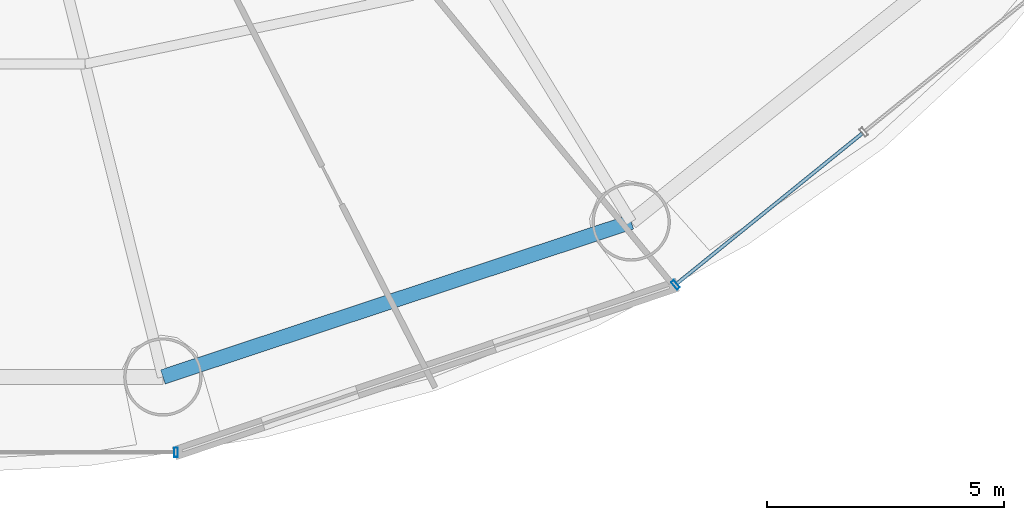
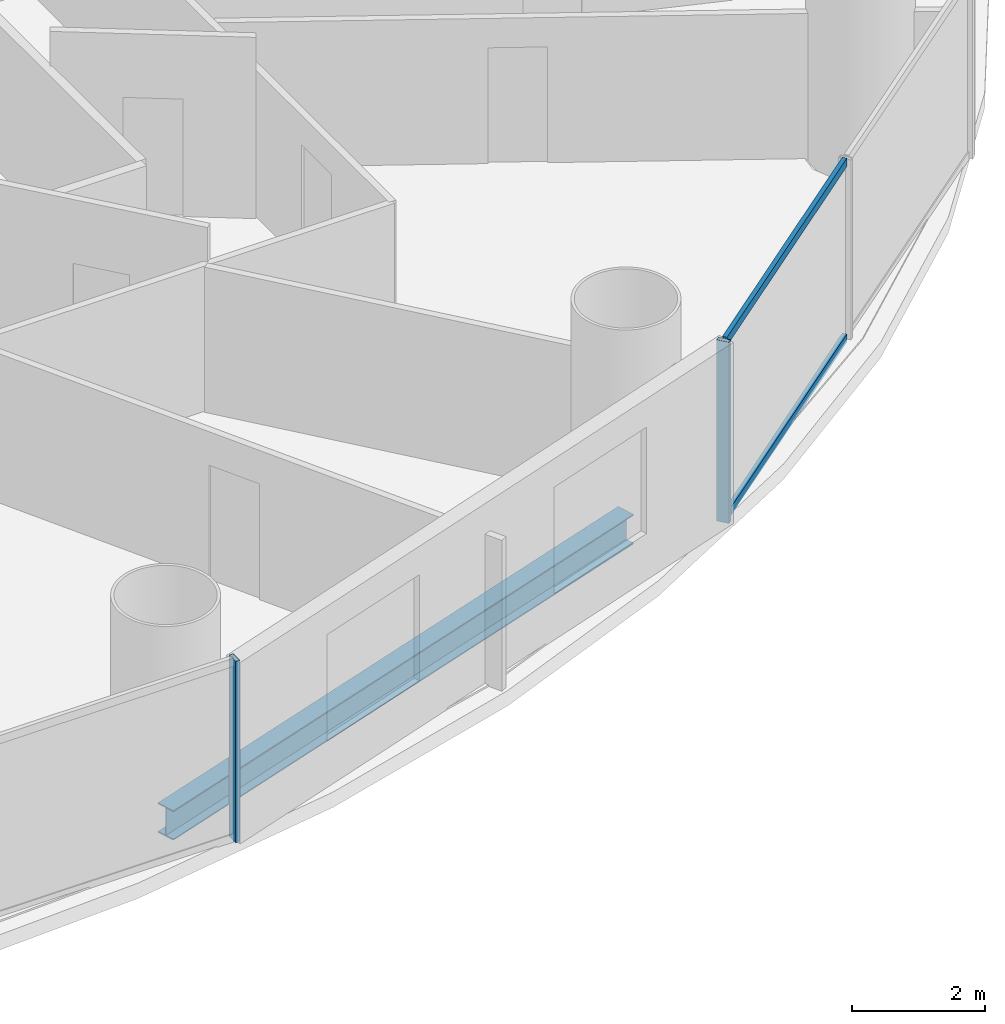
# One storey, part 10 of 30: 4 members, 1 beam, 2 elements without a shape of their own.
"""IFC4 building model written with IfcOpenShell, lengths in metres."""

from ifc_helpers import new_model, si_unit, direction, frame, origin, origin_2d, place, context, subcontext, project, spatial, hollow_rectangle, i_section, extrude, source, transform, mapped, material, material_profile, profile_set, type_object, element, aggregate, save


model = new_model("IFC4")

# Units and contexts
model_context = context("Model", 3, precision=1e-05, world=origin(), true_north=direction((-0.2419218956, 0.970295726276)))
body_context = subcontext(model_context, "Body", "Model", "MODEL_VIEW")
ifc_project = project(units=[si_unit("LENGTHUNIT", "METRE"), si_unit("AREAUNIT", "SQUARE_METRE"), si_unit("VOLUMEUNIT", "CUBIC_METRE"), si_unit("PLANEANGLEUNIT", "RADIAN"), si_unit("MASSUNIT", "GRAM", prefix="KILO")], contexts=[model_context])

# Site, building, storey
site_placement = place(None, origin())
site = spatial("IfcSite", under=ifc_project, at=site_placement, CompositionType="ELEMENT")
building_placement = place(site_placement, origin())
building = spatial("IfcBuilding", under=site, at=building_placement, Name="Cobrevalo Terracotta Tower", CompositionType="ELEMENT")
storey_placement = place(building_placement, frame((0.0, 0.0, 27.60009765625)))
storey = spatial("IfcBuildingStorey", under=building, at=storey_placement, Name="L06", CompositionType="ELEMENT", Elevation=27.60009765625)

# Beam
ifc_material_1 = material(Name="Steel S355", Category="steel")
ifc_material_profile_1 = material_profile(ifc_material_1, i_section(OverallWidth=0.31201171875, OverallDepth=0.54296875, WebThickness=0.0126953125, FlangeThickness=0.020263671875, at=origin_2d()), Name="W 530x150")
ifc_profile_set_1 = profile_set([ifc_material_profile_1], Name="Steel S355")
beam_type = type_object("IfcBeamType", Name="Structural Spandrel W 530x150 (Steel S355)", PredefinedType="SPANDREL", material=ifc_profile_set_1)
beam_placement = place(storey_placement, frame((43.335693359375, 5.369873046875, -0.551513671875), z_axis=(0.949372202648, 0.314153498848, 0.0), x_axis=(-0.314153498848, 0.949372202648, 0.0)))
element("IfcBeam", 1, at=beam_placement, inside=storey, type_object=beam_type, Name="L06 perimeter ring spandrel 13", PredefinedType="SPANDREL", context=body_context, shape_type="SweptSolid", body=[
    extrude(i_section(OverallWidth=0.31201171875, OverallDepth=0.54296875, WebThickness=0.0126953125, FlangeThickness=0.020263671875, at=origin_2d()), origin(), (0.0, 0.0, 1.0), 10.385009765625),
])

# Curtain wall, members
ifc_material_2 = material(Name="Anodized aluminium", Category="aluminium")
curtain_wall_type = type_object("IfcCurtainWallType", Name="Lower-tower unitised acoustic low-E curtain wall CW-U1", PredefinedType="NOTDEFINED", material=ifc_material_2)
curtain_wall_1_placement = place(storey_placement, origin())
curtain_wall_1 = element("IfcCurtainWall", 2, at=curtain_wall_1_placement, inside=storey, type_object=curtain_wall_type, Name="L06 curtain wall CW-L06-S14", PredefinedType="NOTDEFINED")
ifc_material_profile_2 = material_profile(ifc_material_2, hollow_rectangle(XDim=0.074951171875, YDim=0.14990234375, WallThickness=0.00439453125, at=origin_2d()), Name="CWT 75x150")
ifc_profile_set_2 = profile_set([ifc_material_profile_2], Name="Anodized aluminium")
member_type_1 = type_object("IfcMemberType", Name="Tower unitised aluminium transom 75x150", PredefinedType="USERDEFINED", material=ifc_profile_set_2)
shared_shape_1 = source(origin(), body_context, "Body", "SweptSolid", [
    extrude(hollow_rectangle(XDim=0.074951171875, YDim=0.14990234375, WallThickness=0.00439453125, at=origin_2d()), origin(), (0.0, 0.0, 1.0), 5.0234375),
])
member_1_placement = place(storey_placement, frame((54.156982421875, 7.335693359375, 0.0498046875), z_axis=(0.777022991593, 0.629472215857, 0.0), x_axis=(-0.629472215857, 0.777022991593, 0.0)))
member_1 = element("IfcMember", 3, at=member_1_placement, type_object=member_type_1, Name="CW-L06-S14 transom B01-T1", ObjectType="TRANSOM", PredefinedType="USERDEFINED", context=body_context, shape_type="MappedRepresentation", body=[
    mapped(shared_shape_1, transform((0.0, 0.0, 0.0), scale=1.0)),
])
member_2_placement = place(storey_placement, frame((54.156982421875, 7.335693359375, 3.27001953125), z_axis=(0.777022991593, 0.629472215857, 0.0), x_axis=(-0.629472215857, 0.777022991593, 0.0)))
member_2 = element("IfcMember", 4, at=member_2_placement, type_object=member_type_1, Name="CW-L06-S14 transom B01-T2", ObjectType="TRANSOM", PredefinedType="USERDEFINED", context=body_context, shape_type="MappedRepresentation", body=[
    mapped(shared_shape_1, transform((0.0, 0.0, 0.0), scale=1.0)),
])

# Curtain wall, member
curtain_wall_2_placement = place(storey_placement, origin())
curtain_wall_2 = element("IfcCurtainWall", 5, at=curtain_wall_2_placement, inside=storey, type_object=curtain_wall_type, Name="L06 curtain wall CW-L06-S12", PredefinedType="NOTDEFINED")
ifc_material_profile_3 = material_profile(ifc_material_2, hollow_rectangle(XDim=0.074951171875, YDim=0.199951171875, WallThickness=0.0048828125, at=origin_2d()), Name="CWM 75x200")
ifc_profile_set_3 = profile_set([ifc_material_profile_3], Name="Anodized aluminium")
member_type_2 = type_object("IfcMemberType", Name="Lower/mid tower unitised mullion 75x200", PredefinedType="MULLION", material=ifc_profile_set_3)
shared_shape_2 = source(origin(), body_context, "Body", "SweptSolid", [
    extrude(hollow_rectangle(XDim=0.074951171875, YDim=0.199951171875, WallThickness=0.0048828125, at=origin_2d()), origin(), (0.0, 0.0, 1.0), 3.31982421875),
])
member_3_placement = place(storey_placement, frame((43.61181640625, 3.781005859375, 0.0), z_axis=(0.0, 0.0, 1.0), x_axis=(1.0, 0.0, 0.0)))
member_3 = element("IfcMember", 6, at=member_3_placement, type_object=member_type_2, Name="CW-L06-S12 vertical mullion 03", PredefinedType="MULLION", context=body_context, shape_type="MappedRepresentation", body=[
    mapped(shared_shape_2, transform((0.0, 0.0, 0.0), scale=1.0)),
])
aggregate(curtain_wall_2, [member_3])

# Member
member_4_placement = place(storey_placement, frame((54.1259765625, 7.310546875, 0.0), z_axis=(0.0, 0.0, 1.0), x_axis=(0.777003153187, 0.629496703675, 0.0)))
member_4 = element("IfcMember", 7, at=member_4_placement, type_object=member_type_2, Name="CW-L06-S14 vertical mullion 01", PredefinedType="MULLION", context=body_context, shape_type="MappedRepresentation", body=[
    mapped(shared_shape_2, transform((0.0, 0.0, 0.0), scale=1.0)),
])

aggregate(curtain_wall_1, [member_4, member_1, member_2])

save(model, "model.ifc")
